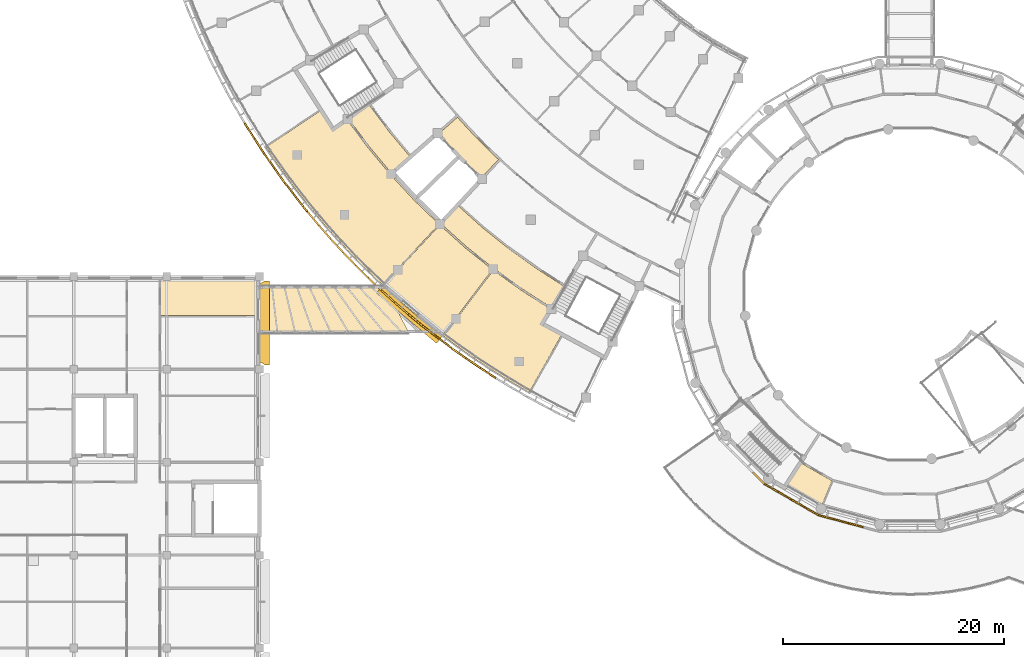
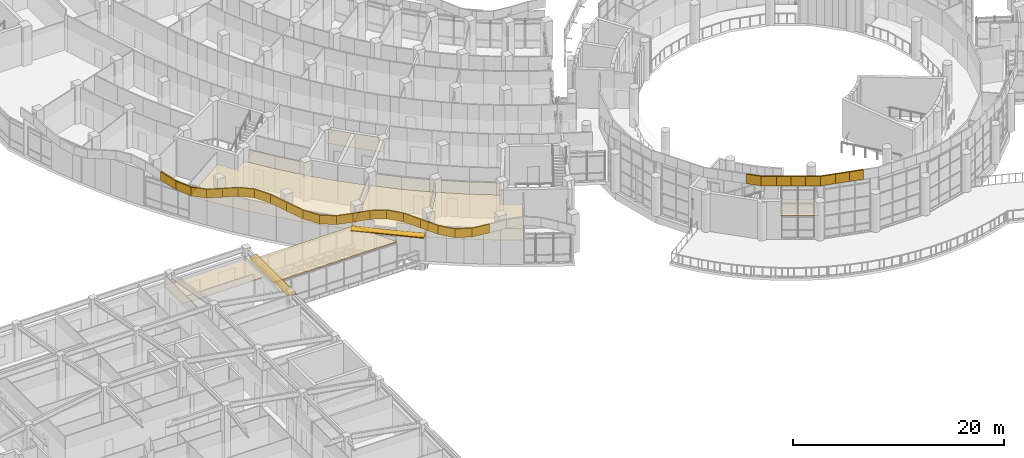
# One storey, part 112 of 136: 37 coverings, 2 shading devices.
"""IFC4 building model written with IfcOpenShell, lengths in metres."""

from ifc_helpers import new_model, si_unit, direction, frame, origin, place, context, subcontext, project, spatial, polyline, outline, extrude, material, layer, layer_set, type_object, element, save


model = new_model("IFC4")

# Units and contexts
model_context = context("Model", 3, precision=1e-05, world=origin(), true_north=direction((0.0, 1.0)))
body_context = subcontext(model_context, "Body", "Model", "MODEL_VIEW")
ifc_project = project(units=[si_unit("LENGTHUNIT", "METRE"), si_unit("AREAUNIT", "SQUARE_METRE"), si_unit("VOLUMEUNIT", "CUBIC_METRE"), si_unit("PLANEANGLEUNIT", "RADIAN"), si_unit("MASSUNIT", "GRAM", prefix="KILO")], contexts=[model_context])

# Site, building, storey
site_placement = place(None, origin())
site = spatial("IfcSite", under=ifc_project, at=site_placement, CompositionType="ELEMENT")
building_placement = place(site_placement, origin())
building = spatial("IfcBuilding", under=site, at=building_placement, Name="Bougainvillea Quay General Hospital", CompositionType="ELEMENT")
storey_placement = place(building_placement, frame((0.0, 0.0, 5.39990234375)))
storey = spatial("IfcBuildingStorey", under=building, at=storey_placement, Name="L01", CompositionType="ELEMENT", Elevation=5.39990234375)

# Coverings
ifc_material_1 = material(Name="Powder-coated aluminium fascia, white", Category="aluminium")
ifc_layer_1 = layer(ifc_material_1, 0.14990234375)
ifc_layer_set_1 = layer_set([ifc_layer_1], Name="Powder-coated aluminium fascia, white")
covering_type_1 = type_object("IfcCoveringType", Name="Aluminium fascia band white 150x1100", PredefinedType="CLADDING", material=ifc_layer_set_1)
covering_1_placement = place(storey_placement, frame((95.05810546875, 57.920166015625, 6.650146484375), z_axis=(0.0, 0.0, 1.0), x_axis=(0.707106781187, -0.707106781187, 0.0)))
element("IfcCovering", 1, at=covering_1_placement, inside=storey, type_object=covering_type_1, Name="Fascia band white e0 14", PredefinedType="CLADDING", context=body_context, shape_type="SweptSolid", body=[
    extrude(outline(polyline([(0.0, 0.0), (1.4428707219621983, 0.0), (1.4625509399932692, -0.15019113760554115), (0.0, -0.15019113760554112), (0.0, 0.0)])), origin(), (0.0, 0.0, 1.0), 1.10009765625),
])
covering_2_placement = place(storey_placement, frame((96.078369140625, 56.89990234375, 6.650146484375), z_axis=(0.0, 0.0, 1.0), x_axis=(0.866058810152, -0.49994213401, 0.0)))
element("IfcCovering", 2, at=covering_2_placement, inside=storey, type_object=covering_type_1, Name="Fascia band white e0 15", PredefinedType="CLADDING", context=body_context, shape_type="SweptSolid", body=[
    extrude(outline(polyline([(0.0, 0.0), (1.4430380994058942, 0.0), (1.4428484269856572, -0.15007945905171638), (-0.01987272956648338, -0.15016578643810477), (0.0, 0.0)])), origin(), (0.0, 0.0, 1.0), 1.10009765625),
])
covering_3_placement = place(storey_placement, frame((97.328125, 56.178466796875, 6.650146484375), z_axis=(0.0, 0.0, 1.0), x_axis=(0.866031343357, -0.499989712218, 0.0)))
element("IfcCovering", 3, at=covering_3_placement, inside=storey, type_object=covering_type_1, Name="Fascia band white e0 16", PredefinedType="CLADDING", context=body_context, shape_type="SweptSolid", body=[
    extrude(outline(polyline([(0.0, 0.0), (1.3706336703115394, 0.0), (1.3704522428569326, -0.15007946924533522), (-0.00018142745460673904, -0.15007946924533525), (0.0, 0.0)])), origin(), (0.0, 0.0, 1.0), 1.10009765625),
])
covering_4_placement = place(storey_placement, frame((98.51513671875, 55.4931640625, 6.650146484375), z_axis=(0.0, 0.0, 1.0), x_axis=(0.865986804272, -0.500066850358, 0.0)))
element("IfcCovering", 4, at=covering_4_placement, inside=storey, type_object=covering_type_1, Name="Fascia band white e0 17", PredefinedType="CLADDING", context=body_context, shape_type="SweptSolid", body=[
    extrude(outline(polyline([(0.0, 0.0), (1.3704222423145833, 1.1102230246251565e-16), (1.3704656054686581, -0.14995739817689147), (-0.0001680594055618323, -0.15007948481027983), (0.0, 0.0)])), origin(), (0.0, 0.0, 1.0), 1.10009765625),
])
covering_5_placement = place(storey_placement, frame((99.701904296875, 54.807861328125, 6.650146484375), z_axis=(0.0, 0.0, 1.0), x_axis=(0.866058810152, -0.49994213401, 0.0)))
element("IfcCovering", 5, at=covering_5_placement, inside=storey, type_object=covering_type_1, Name="Fascia band white e0 18", PredefinedType="CLADDING", context=body_context, shape_type="SweptSolid", body=[
    extrude(outline(polyline([(0.0, 0.0), (1.4430380994058942, 0.0), (1.4627429242711008, -0.1498710754802669), (2.176771896013341e-05, -0.14995740286665532), (0.0, 0.0)])), origin(), (0.0, 0.0, 1.0), 1.10009765625),
])
covering_6_placement = place(storey_placement, frame((100.95166015625, 54.08642578125, 6.650146484375), z_axis=(0.0, 0.0, 1.0), x_axis=(0.96591406393, -0.258862938836, 0.0)))
element("IfcCovering", 6, at=covering_6_placement, inside=storey, type_object=covering_type_1, Name="Fascia band white e0 19", PredefinedType="CLADDING", context=body_context, shape_type="SweptSolid", body=[
    extrude(outline(polyline([(0.0, 0.0), (1.4429842986801122, 5.551115123125783e-17), (1.442966082509382, -0.149889220504208), (-0.01973926565854102, -0.14986654323044177), (0.0, 0.0)])), origin(), (0.0, 0.0, 1.0), 1.10009765625),
])
for number, where, z_axis, x_axis, name in (
    (7, (102.345458984375, 53.712890625, 6.650146484375), (0.0, 0.0, 1.0), (0.965917832393, -0.258848876884, 0.0), "Fascia band white e0 20"),
    (8, (103.669189453125, 53.358154296875, 6.650146484375), (0.0, 0.0, 1.0), (0.965917832393, -0.258848876884, 0.0), "Fascia band white e0 21"),
):
    element("IfcCovering", number, at=place(storey_placement, frame(where, z_axis=z_axis, x_axis=x_axis)), inside=storey, type_object=covering_type_1, Name=name, PredefinedType="CLADDING", context=body_context, shape_type="SweptSolid", body=[
        extrude(outline(polyline([(0.0, 0.0), (1.3704379651734342, 5.551115123125783e-17), (1.3704175668926584, -0.14988922022313056), (-2.039828077596978e-05, -0.14988922022313056), (0.0, 0.0)])), origin(), (0.0, 0.0, 1.0), 1.10009765625),
    ])
ifc_material_2 = material(Name="Powder-coated aluminium fascia, yellow", Category="aluminium")
ifc_layer_2 = layer(ifc_material_2, 0.14990234375)
ifc_layer_set_2 = layer_set([ifc_layer_2], Name="Powder-coated aluminium fascia, yellow")
covering_type_2 = type_object("IfcCoveringType", Name="Aluminium wave fascia ribbon yellow 150x1000", PredefinedType="CLADDING", material=ifc_layer_set_2)
covering_7_placement = place(storey_placement, frame((49.122314453125, 89.492919921875, 3.96728515625), z_axis=(0.16933460455, -0.271456396833, 0.947437183311), x_axis=(0.501362361025, -0.803911064912, -0.31994184262)))
element("IfcCovering", 9, at=covering_7_placement, inside=storey, type_object=covering_type_2, Name="Fascia ribbon yellow a01 11", PredefinedType="CLADDING", context=body_context, shape_type="SweptSolid", body=[
    extrude(outline(polyline([(0.0, 0.0), (1.7203658001696125, -2.0721814021629203e-16), (1.722282315639316, -0.14986279276286146), (-0.0018865808981837248, -0.1499697255726774), (0.0, 0.0)])), origin(), (-0.31994184262, -3.1942239e-05, 0.947437183311), 1.0),
])
covering_8_placement = place(storey_placement, frame((49.98486328125, 88.10986328125, 3.41650390625), z_axis=(0.072098689659, -0.109859576084, 0.991328730791), x_axis=(0.543983208214, -0.828742976914, -0.131405279186)))
element("IfcCovering", 10, at=covering_8_placement, inside=storey, type_object=covering_type_2, Name="Fascia ribbon yellow a01 12", PredefinedType="CLADDING", context=body_context, shape_type="SweptSolid", body=[
    extrude(outline(polyline([(0.0, 0.0), (1.6444070908462403, -8.271784949706595e-17), (1.6461060191107986, -0.1500425533868473), (-0.0017228512126957452, -0.1498636092990518), (0.0, 0.0)])), origin(), (-0.131405279186, 1.0481951e-05, 0.991328730791), 1.0),
])
covering_9_placement = place(storey_placement, frame((50.87939453125, 86.7470703125, 3.200439453125), z_axis=(-0.083353186357, 0.121023564696, 0.989143843489), x_axis=(0.561735712084, -0.814161253905, 0.146950476045)))
element("IfcCovering", 11, at=covering_9_placement, inside=storey, type_object=covering_type_2, Name="Fascia ribbon yellow a01 13", PredefinedType="CLADDING", context=body_context, shape_type="SweptSolid", body=[
    extrude(outline(polyline([(0.0, 0.0), (1.648072984355286, 6.14742631799281e-17), (1.6496278444363315, -0.14995888294990545), (-0.0018005013549196433, -0.1500413701381544), (0.0, 0.0)])), origin(), (0.146950476045, -0.000120323572, 0.989143843489), 1.0),
])
covering_10_placement = place(storey_placement, frame((51.80517578125, 85.4052734375, 3.443115234375), z_axis=(-0.191557698113, 0.263408938148, 0.945474155965), x_axis=(0.554837433423, -0.765556693661, 0.325696747395)))
element("IfcCovering", 12, at=covering_10_placement, inside=storey, type_object=covering_type_2, Name="Fascia ribbon yellow a01 14", PredefinedType="CLADDING", context=body_context, shape_type="SweptSolid", body=[
    extrude(outline(polyline([(0.0, 0.0), (1.7240124680396092, 1.0446287931897835e-16), (1.7257972064910645, -0.1498943022962561), (-0.0020748076817750007, -0.14995417904024314), (0.0, 0.0)])), origin(), (0.325696747395, 0.00049913883, 0.945474155965), 1.0),
])
covering_11_placement = place(storey_placement, frame((52.76171875, 84.08544921875, 4.005126953125), z_axis=(-0.196324841676, 0.258072170913, 0.945967922892), x_axis=(0.572849096348, -0.75279427861, 0.324260214805)))
element("IfcCovering", 13, at=covering_11_placement, inside=storey, type_object=covering_type_2, Name="Fascia ribbon yellow a01 15", PredefinedType="CLADDING", context=body_context, shape_type="SweptSolid", body=[
    extrude(outline(polyline([(0.0, 0.0), (1.7231095045113147, -1.2426312149399488e-16), (1.7249095401596242, -0.1501134214110714), (-0.0018409225971307993, -0.14989358522709506), (0.0, 0.0)])), origin(), (0.324260214805, -4.4192337e-05, 0.945967922892), 1.0),
])
covering_12_placement = place(storey_placement, frame((53.748779296875, 82.788330078125, 4.564453125), z_axis=(-0.088548866156, 0.11223623036, 0.989728309637), x_axis=(0.617356287832, -0.773585137091, 0.142958908595)))
element("IfcCovering", 14, at=covering_12_placement, inside=storey, type_object=covering_type_2, Name="Fascia ribbon yellow a01 16", PredefinedType="CLADDING", context=body_context, shape_type="SweptSolid", body=[
    extrude(outline(polyline([(0.0, 0.0), (1.6470806047808013, 2.2041830166630305e-16), (1.6488747803515422, -0.15007139200549252), (-0.0017445255582313325, -0.15011347629636604), (0.0, 0.0)])), origin(), (0.142958908595, -0.00078965577, 0.989728309637), 1.0),
])
covering_13_placement = place(storey_placement, frame((54.765625, 81.51416015625, 4.800048828125), z_axis=(0.086210577573, -0.104425588512, 0.990789096013), x_axis=(0.635819124434, -0.759867002132, -0.135411151957)))
element("IfcCovering", 15, at=covering_13_placement, inside=storey, type_object=covering_type_2, Name="Fascia ribbon yellow a01 17", PredefinedType="CLADDING", context=body_context, shape_type="SweptSolid", body=[
    extrude(outline(polyline([(0.0, 0.0), (1.6453599237930618, 1.0636023312082798e-16), (1.6469211576534304, -0.14995282035077212), (-0.0017240330569134044, -0.15007142934972761), (0.0, 0.0)])), origin(), (-0.135411151957, 0.000887213124, 0.990789096013), 1.0),
])
covering_14_placement = place(storey_placement, frame((55.811767578125, 80.263916015625, 4.57666015625), z_axis=(0.211906488099, -0.241730364202, 0.946922420964), x_axis=(0.624385831002, -0.711901967409, -0.321462163938)))
element("IfcCovering", 16, at=covering_14_placement, inside=storey, type_object=covering_type_2, Name="Fascia ribbon yellow a01 18", PredefinedType="CLADDING", context=body_context, shape_type="SweptSolid", body=[
    extrude(outline(polyline([(0.0, 0.0), (1.7211952309516827, -2.3349649037190945e-16), (1.723200057692113, -0.15004451754000245), (-0.0020760948666379716, -0.1499481782973162), (0.0, 0.0)])), origin(), (-0.321462163938, 7.6368546e-05, 0.946922420964), 1.0),
])
covering_15_placement = place(storey_placement, frame((56.886474609375, 79.03857421875, 4.022705078125), z_axis=(0.222173491566, -0.241667079167, 0.94458242758), x_axis=(0.639103480666, -0.69554490158, -0.328274322613)))
element("IfcCovering", 17, at=covering_15_placement, inside=storey, type_object=covering_type_2, Name="Fascia ribbon yellow a01 19", PredefinedType="CLADDING", context=body_context, shape_type="SweptSolid", body=[
    extrude(outline(polyline([(0.0, 0.0), (1.72584478397919, 2.2876665839444144e-17), (1.7276736089779414, -0.1500814644799538), (-0.001754433369771608, -0.1500475982214944), (0.0, 0.0)])), origin(), (-0.328274322613, -8.1367867e-05, 0.94458242758), 1.0),
])
covering_16_placement = place(storey_placement, frame((57.989501953125, 77.838134765625, 3.455810546875), z_axis=(0.107036848562, -0.111177781742, 0.988019541252), x_axis=(0.685189332185, -0.711827361901, -0.154328823975)))
element("IfcCovering", 18, at=covering_16_placement, inside=storey, type_object=covering_type_2, Name="Fascia ribbon yellow a01 20", PredefinedType="CLADDING", context=body_context, shape_type="SweptSolid", body=[
    extrude(outline(polyline([(0.0, 0.0), (1.6497268511143455, 6.957528628746823e-17), (1.6515703134356485, -0.15018358915031532), (-0.0018163648150999363, -0.15008009992348004), (0.0, 0.0)])), origin(), (-0.154328823975, -1.3927512e-05, 0.988019541252), 1.0),
])
covering_17_placement = place(storey_placement, frame((59.119873046875, 76.663818359375, 3.201171875), z_axis=(-0.087853771713, 0.087048697059, 0.992322648707), x_axis=(0.704496322822, -0.698848463764, 0.123676011517)))
element("IfcCovering", 19, at=covering_17_placement, inside=storey, type_object=covering_type_2, Name="Fascia ribbon yellow a01 21", PredefinedType="CLADDING", context=body_context, shape_type="SweptSolid", body=[
    extrude(outline(polyline([(0.0, 0.0), (1.6426260957952898, -1.1796119636642288e-16), (1.644456154068394, -0.14985438221003608), (-0.00165784400911081, -0.15018575510052057), (0.0, 0.0)])), origin(), (0.123676011517, 7.0986414e-05, 0.992322648707), 1.0),
])
covering_18_placement = place(storey_placement, frame((60.277099609375, 75.515869140625, 3.404541015625), z_axis=(-0.230027834194, 0.217907533513, 0.948474302411), x_axis=(0.688745251718, -0.652099292486, 0.316854053116)))
element("IfcCovering", 20, at=covering_18_placement, inside=storey, type_object=covering_type_2, Name="Fascia ribbon yellow a01 22", PredefinedType="CLADDING", context=body_context, shape_type="SweptSolid", body=[
    extrude(outline(polyline([(0.0, 0.0), (1.7188513110064798, 1.6243381422906267e-16), (1.7205200057816463, -0.15011814377780275), (-0.0017461285653559376, -0.14985597272280932), (0.0, 0.0)])), origin(), (0.316854053116, -8.1791091e-05, 0.948474302411), 1.0),
])
covering_19_placement = place(storey_placement, frame((61.4609375, 74.39501953125, 3.94970703125), z_axis=(-0.246051699585, 0.222823987001, 0.943296364855), x_axis=(0.6997891911, -0.632537118127, 0.331951626313)))
element("IfcCovering", 21, at=covering_19_placement, inside=storey, type_object=covering_type_2, Name="Fascia ribbon yellow a01 23", PredefinedType="CLADDING", context=body_context, shape_type="SweptSolid", body=[
    extrude(outline(polyline([(0.0, 0.0), (1.7280299958999354, 2.3632896854752783e-16), (1.7296942480515978, -0.14994415022661017), (-0.001929088099922149, -0.1501149899587999), (0.0, 0.0)])), origin(), (0.331951626313, -0.000292984655, 0.943296364855), 1.0),
])
covering_20_placement = place(storey_placement, frame((62.670166015625, 73.302001953125, 4.523681640625), z_axis=(-0.125307430143, 0.108195555274, 0.986200674189), x_axis=(0.746857445254, -0.644046377848, 0.165554280072)))
element("IfcCovering", 22, at=covering_20_placement, inside=storey, type_object=covering_type_2, Name="Fascia ribbon yellow a01 24", PredefinedType="CLADDING", context=body_context, shape_type="SweptSolid", body=[
    extrude(outline(polyline([(0.0, 0.0), (1.6527685055127253, -1.0761723001455337e-16), (1.6545047856758757, -0.15003556043195496), (-0.0019226564180051904, -0.14994049515098964), (0.0, 0.0)])), origin(), (0.165554280072, -0.000102859499, 0.986200674189), 1.0),
])
covering_21_placement = place(storey_placement, frame((63.904541015625, 72.237548828125, 4.79736328125), z_axis=(0.086320875709, -0.071039624794, 0.993731391336), x_axis=(0.767318937448, -0.631445743013, -0.111794104784)))
element("IfcCovering", 23, at=covering_21_placement, inside=storey, type_object=covering_type_2, Name="Fascia ribbon yellow a01 25", PredefinedType="CLADDING", context=body_context, shape_type="SweptSolid", body=[
    extrude(outline(polyline([(0.0, 0.0), (1.6404975834420783, 1.8409922295393316e-16), (1.6422447792649406, -0.15002550555787875), (-0.0017555161421309573, -0.15003534052500456), (0.0, 0.0)])), origin(), (-0.111794104784, 3.099913e-06, 0.993731391336), 1.0),
])
covering_22_placement = place(storey_placement, frame((65.163330078125, 71.20166015625, 4.61376953125), z_axis=(0.245369551563, -0.192536356196, 0.950117642563), x_axis=(0.747410863826, -0.586600832131, -0.311891751058)))
element("IfcCovering", 24, at=covering_22_placement, inside=storey, type_object=covering_type_2, Name="Fascia ribbon yellow a01 26", PredefinedType="CLADDING", context=body_context, shape_type="SweptSolid", body=[
    extrude(outline(polyline([(0.0, 0.0), (1.7155852551702881, -2.1575623232461538e-17), (1.717419761162188, -0.14975304554245308), (-0.0018054608116139202, -0.15002539627271386), (0.0, 0.0)])), origin(), (-0.311891751058, -3.0218825e-05, 0.950117642563), 1.0),
])
covering_23_placement = place(storey_placement, frame((66.445556640625, 70.1953125, 4.077880859375), z_axis=(0.268855018418, -0.200067411508, 0.94217302547), x_axis=(0.754499961561, -0.564287512315, -0.335125963556)))
element("IfcCovering", 25, at=covering_23_placement, inside=storey, type_object=covering_type_2, Name="Fascia ribbon yellow a01 27", PredefinedType="CLADDING", context=body_context, shape_type="SweptSolid", body=[
    extrude(outline(polyline([(0.0, 0.0), (1.7301809618314175, 1.584019374001322e-16), (1.7319944071318316, -0.14990489371800925), (-0.0018617785779524942, -0.14975372719534236), (0.0, 0.0)])), origin(), (-0.335125963556, -0.000760675225, 0.94217302547), 1.0),
])
covering_24_placement = place(storey_placement, frame((67.7509765625, 69.218994140625, 3.49755859375), z_axis=(0.144176988844, -0.101568122322, 0.984325613004), x_axis=(0.801765256741, -0.571025556732, -0.176358403946)))
element("IfcCovering", 26, at=covering_24_placement, inside=storey, type_object=covering_type_2, Name="Fascia ribbon yellow a01 28", PredefinedType="CLADDING", context=body_context, shape_type="SweptSolid", body=[
    extrude(outline(polyline([(0.0, 0.0), (1.6558852779537458, -5.789639601072594e-17), (1.6578204402326886, -0.1499951894230112), (-0.0017976229513584944, -0.14990507966353026), (0.0, 0.0)])), origin(), (-0.176358403946, -0.000894953653, 0.984325613004), 1.0),
])
covering_25_placement = place(storey_placement, frame((69.07861328125, 68.2734375, 3.20556640625), z_axis=(-0.0824748146, 0.055820380412, 0.995028637823), x_axis=(0.823601871554, -0.558356474955, 0.099589176363)))
element("IfcCovering", 27, at=covering_25_placement, inside=storey, type_object=covering_type_2, Name="Fascia ribbon yellow a01 29", PredefinedType="CLADDING", context=body_context, shape_type="SweptSolid", body=[
    extrude(outline(polyline([(0.0, 0.0), (1.6383629945179539, -5.61548962711711e-17), (1.640153870096891, -0.15010918186383548), (-0.0015601133711263375, -0.14999954378977423), (0.0, 0.0)])), origin(), (0.099589176363, 7.6576974e-05, 0.995028637823), 1.0),
])
covering_26_placement = place(storey_placement, frame((70.427978515625, 67.358642578125, 3.369140625), z_axis=(-0.257208175043, 0.166749762933, 0.951860531408), x_axis=(0.800017207475, -0.515763020051, 0.306530544795)))
element("IfcCovering", 28, at=covering_26_placement, inside=storey, type_object=covering_type_2, Name="Fascia ribbon yellow a01 30", PredefinedType="CLADDING", context=body_context, shape_type="SweptSolid", body=[
    extrude(outline(polyline([(0.0, 0.0), (1.712589806201552, 4.2500725161431774e-17), (1.7144234817914739, -0.14995909867541493), (-0.0017657385590108764, -0.1501100826743606), (0.0, 0.0)])), origin(), (0.306530544795, -0.000744214547, 0.951860531408), 1.0),
])
ifc_material_3 = material(Name="Insulated aluminium roof panel, grey", Category="aluminium")
ifc_layer_3 = layer(ifc_material_3, 0.14990234375)
ifc_layer_set_3 = layer_set([ifc_layer_3], Name="Insulated aluminium roof panel, grey")
covering_type_3 = type_object("IfcCoveringType", Name="Bridge roof insulated metal panel 150", PredefinedType="ROOFING", material=ifc_layer_set_3)
covering_27_placement = place(storey_placement, frame((0.0, 0.0, 3.0)))
element("IfcCovering", 29, at=covering_27_placement, inside=storey, type_object=covering_type_3, Name="Bridge roof B2", PredefinedType="ROOFING", context=body_context, shape_type="SweptSolid", body=[
    extrude(outline(polyline([(50.39990234375, 74.760009765625), (61.6875, 74.760009765625), (63.93994140625, 70.43994140625), (50.39990234375, 70.43994140625), (50.39990234375, 74.760009765625)])), origin(), (0.0, 0.0, 1.0), 0.150146484375),
])

# Shading devices
ifc_material_4 = material(Name="Powder-coated aluminium canopy soffit and fascia, white", Category="aluminium")
ifc_layer_4 = layer(ifc_material_4, 0.10009765625)
ifc_layer_set_4 = layer_set([ifc_layer_4], Name="Powder-coated aluminium canopy soffit and fascia, white")
shading_device_type = type_object("IfcShadingDeviceType", Name="Sunshade 100", PredefinedType="USERDEFINED", material=ifc_layer_set_4)
shading_device_1_placement = place(storey_placement, frame((0.0, 0.0, 3.150146484375)))
element("IfcShadingDevice", 30, at=shading_device_1_placement, inside=storey, type_object=shading_device_type, Name="Sunshade 0", ObjectType="Sunshade", PredefinedType="USERDEFINED", context=body_context, shape_type="SweptSolid", body=[
    extrude(outline(polyline([(50.39990234375, 75.0), (50.39990234375, 67.800048828125), (50.51708984375, 67.78857421875), (50.629638671875, 67.75439453125), (50.7333984375, 67.698974609375), (50.84619140625, 67.60009765625), (51.300048828125, 67.60009765625), (51.300048828125, 75.199951171875), (50.84619140625, 75.199951171875), (50.7333984375, 75.10107421875), (50.629638671875, 75.045654296875), (50.51708984375, 75.011474609375), (50.39990234375, 75.0)])), origin(), (0.0, 0.0, 1.0), 0.099853515625),
])
shading_device_2_placement = place(storey_placement, frame((0.0, 0.0, 3.150146484375)))
element("IfcShadingDevice", 31, at=shading_device_2_placement, inside=storey, type_object=shading_device_type, Name="Sunshade 0", ObjectType="Sunshade", PredefinedType="USERDEFINED", context=body_context, shape_type="SweptSolid", body=[
    extrude(outline(polyline([(66.39599609375, 69.544189453125), (66.944580078125, 70.197509765625), (65.928955078125, 70.97607421875), (64.589111328125, 72.056884765625), (63.27587890625, 73.169921875), (61.990966796875, 74.31591796875), (61.530029296875, 74.747314453125), (60.97998046875, 74.09228515625), (66.39599609375, 69.544189453125)])), origin(), (0.0, 0.0, 1.0), 0.099853515625),
])

# Coverings
ifc_material_5 = material(Name="Mineral fibre ceiling tile")
ifc_layer_5 = layer(ifc_material_5, 0.030029296875)
ifc_layer_set_5 = layer_set([ifc_layer_5], Name="Mineral fibre ceiling tile")
covering_type_4 = type_object("IfcCoveringType", Name="Suspended ceiling mineral fibre tile", PredefinedType="CEILING", material=ifc_layer_set_5)
covering_28_placement = place(storey_placement, frame((0.0, 0.0, 2.800048828125)))
element("IfcCovering", 32, at=covering_28_placement, inside=storey, type_object=covering_type_4, Name="Ceiling Emergency Short Stay Bay Room 07", PredefinedType="CEILING", context=body_context, shape_type="SweptSolid", body=[
    extrude(outline(polyline([(41.449951171875, 75.60009765625), (41.449951171875, 72.050048828125), (50.39990234375, 72.050048828125), (50.39990234375, 75.60009765625), (41.449951171875, 75.60009765625)])), origin(), (0.0, 0.0, 1.0), 0.030029296875),
])
covering_29_placement = place(storey_placement, frame((0.0, 0.0, 2.7001953125)))
element("IfcCovering", 33, at=covering_29_placement, inside=storey, type_object=covering_type_4, Name="Ceiling Lift Lobby LB-W1", PredefinedType="CEILING", context=body_context, shape_type="SweptSolid", body=[
    extrude(outline(polyline([(70.4365234375, 84.485107421875), (72.00341796875, 86.168701171875), (71.1474609375, 86.9853515625), (71.145751953125, 86.983642578125), (71.075927734375, 87.053466796875), (71.004638671875, 87.12158203125), (71.00634765625, 87.12353515625), (70.169921875, 87.96337890625), (70.16796875, 87.961669921875), (70.100341796875, 88.033447265625), (70.030517578125, 88.103271484375), (70.032470703125, 88.10498046875), (69.218505859375, 88.96533203125), (69.216552734375, 88.9638671875), (69.150390625, 89.037109375), (69.08251953125, 89.10888671875), (69.08447265625, 89.110595703125), (68.292724609375, 89.98974609375), (66.56396484375, 88.4736328125), (67.4599609375, 87.47705078125), (68.449951171875, 86.430908203125), (69.467041015625, 85.409912109375), (70.4365234375, 84.485107421875)])), origin(), (0.0, 0.0, 1.0), 0.02978515625),
])
covering_30_placement = place(storey_placement, frame((0.0, 0.0, 2.7001953125)))
element("IfcCovering", 34, at=covering_30_placement, inside=storey, type_object=covering_type_4, Name="Ceiling Gallery Lounge 01H0121", PredefinedType="CEILING", context=body_context, shape_type="SweptSolid", body=[
    extrude(outline(polyline([(101.120361328125, 54.624267578125), (102.147216796875, 57.103271484375), (102.133056640625, 57.10693359375), (102.1376953125, 57.123779296875), (99.3681640625, 58.722412109375), (99.365966796875, 58.71923828125), (99.344970703125, 58.73291015625), (97.888427734375, 56.489990234375), (101.120361328125, 54.624267578125)])), origin(), (0.0, 0.0, 1.0), 0.02978515625),
])
covering_31_placement = place(storey_placement, frame((0.0, 0.0, 2.400146484375)))
element("IfcCovering", 35, at=covering_31_placement, inside=storey, type_object=covering_type_4, Name="Ceiling Clinic Corridor 01W1", PredefinedType="CEILING", context=body_context, shape_type="SweptSolid", body=[
    extrude(outline(polyline([(66.8310546875, 80.4619140625), (66.904296875, 80.39404296875), (66.83935546875, 80.323974609375), (69.113525390625, 78.27734375), (71.584228515625, 76.306884765625), (74.152099609375, 74.463134765625), (76.766845703125, 72.780029296875), (77.93701171875, 74.701904296875), (75.478271484375, 76.284423828125), (75.476318359375, 76.28125), (75.416748046875, 76.323974609375), (75.355224609375, 76.363525390625), (75.357421875, 76.36669921875), (73.001220703125, 78.0576171875), (72.998779296875, 78.0546875), (72.941650390625, 78.10009765625), (72.88232421875, 78.142822265625), (72.884521484375, 78.145751953125), (70.617431640625, 79.955322265625), (70.614501953125, 79.9521484375), (70.560546875, 80.000732421875), (70.503662109375, 80.046142578125), (70.50634765625, 80.049560546875), (68.296875, 82.0361328125), (68.346923828125, 82.092041015625), (66.8310546875, 80.4619140625)])), origin(), (0.0, 0.0, 1.0), 0.030029296875),
])
covering_32_placement = place(storey_placement, frame((0.0, 0.0, 2.7001953125)))
element("IfcCovering", 36, at=covering_32_placement, inside=storey, type_object=covering_type_4, Name="Ceiling Gastroenterology Consulting Room 01W111", PredefinedType="CEILING", context=body_context, shape_type="SweptSolid", body=[
    extrude(outline(polyline([(74.06787109375, 74.3388671875), (74.00634765625, 74.37841796875), (74.00830078125, 74.381591796875), (71.55322265625, 76.14453125), (71.55078125, 76.1416015625), (71.53271484375, 76.156005859375), (67.0244140625, 70.2001953125), (68.56103515625, 69.068603515625), (69.99609375, 68.0712890625), (71.455078125, 67.109130859375), (72.937744140625, 66.184814453125), (74.769287109375, 65.11669921875), (77.66943359375, 70.2529296875), (77.354248046875, 70.4287109375), (77.353515625, 70.427490234375), (77.26806640625, 70.4765625), (77.2685546875, 70.477783203125), (75.87060546875, 71.304443359375), (75.92138671875, 71.390380859375), (76.68896484375, 72.652099609375), (74.12939453125, 74.29931640625), (74.127197265625, 74.29638671875), (74.06787109375, 74.3388671875)])), origin(), (0.0, 0.0, 1.0), 0.02978515625),
])
covering_33_placement = place(storey_placement, frame((0.0, 0.0, 2.7001953125)))
element("IfcCovering", 37, at=covering_33_placement, inside=storey, type_object=covering_type_4, Name="Ceiling Gastroenterology Examination Room 01W112", PredefinedType="CEILING", context=body_context, shape_type="SweptSolid", body=[
    extrude(outline(polyline([(65.768310546875, 71.170166015625), (66.944580078125, 70.260498046875), (71.453125, 76.21630859375), (71.434326171875, 76.229736328125), (71.4365234375, 76.23291015625), (69.073486328125, 78.1171875), (69.070556640625, 78.114013671875), (69.0166015625, 78.162841796875), (68.959716796875, 78.2080078125), (68.96240234375, 78.21142578125), (66.7373046875, 80.214111328125), (66.734130859375, 80.212646484375), (66.698974609375, 80.246337890625), (61.592041015625, 74.7587890625), (62.46435546875, 73.960205078125), (63.781494140625, 72.80712890625), (65.768310546875, 71.170166015625)])), origin(), (0.0, 0.0, 1.0), 0.02978515625),
])
covering_34_placement = place(storey_placement, frame((0.0, 0.0, 2.400146484375)))
element("IfcCovering", 38, at=covering_34_placement, inside=storey, type_object=covering_type_4, Name="Ceiling Clinic Corridor 01W1", PredefinedType="CEILING", context=body_context, shape_type="SweptSolid", body=[
    extrude(outline(polyline([(64.091064453125, 86.43798828125), (64.033447265625, 86.389892578125), (62.131103515625, 88.67236328125), (62.1279296875, 88.669921875), (62.084228515625, 88.728515625), (62.037353515625, 88.78466796875), (62.040283203125, 88.787109375), (60.285888671875, 91.12548828125), (58.4521484375, 89.821533203125), (60.31982421875, 87.33251953125), (62.343505859375, 84.904541015625), (64.486572265625, 82.58251953125), (66.69287109375, 80.460205078125), (66.7578125, 80.530029296875), (66.8310546875, 80.4619140625), (65.68896484375, 81.551025390625), (64.575927734375, 82.6689453125), (63.491943359375, 83.81396484375), (62.43701171875, 84.987060546875), (64.091064453125, 86.43798828125)])), origin(), (0.0, 0.0, 1.0), 0.030029296875),
])
covering_35_placement = place(storey_placement, frame((0.0, 0.0, 2.7001953125)))
element("IfcCovering", 39, at=covering_35_placement, inside=storey, type_object=covering_type_4, Name="Ceiling Urology Consulting Room 01W111", PredefinedType="CEILING", context=body_context, shape_type="SweptSolid", body=[
    extrude(outline(polyline([(64.326904296875, 82.52783203125), (64.330078125, 82.531005859375), (62.2802734375, 84.751708984375), (62.27734375, 84.749267578125), (62.230712890625, 84.805419921875), (62.180908203125, 84.859130859375), (62.183837890625, 84.86181640625), (60.2490234375, 87.183349609375), (60.24609375, 87.180908203125), (60.2021484375, 87.239501953125), (60.1552734375, 87.295654296875), (60.158203125, 87.298095703125), (58.329833984375, 89.734375), (57.127685546875, 88.87744140625), (57.04541015625, 88.8203125), (56.11962890625, 90.155517578125), (56.11865234375, 90.15478515625), (56.0634765625, 90.236572265625), (56.064453125, 90.2373046875), (55.866943359375, 90.53857421875), (50.953857421875, 87.2763671875), (52.02978515625, 85.699951171875), (53.556884765625, 83.619140625), (54.6328125, 82.240478515625), (56.3388671875, 80.19482421875), (58.065673828125, 78.27392578125), (59.273681640625, 77.010986328125), (59.919921875, 76.36279296875), (61.51904296875, 74.8271484375), (66.625732421875, 80.314453125), (66.589599609375, 80.34716796875), (66.5908203125, 80.350341796875), (64.431884765625, 82.427001953125), (64.4287109375, 82.424072265625), (64.37939453125, 82.4775390625), (64.326904296875, 82.52783203125)])), origin(), (0.0, 0.0, 1.0), 0.02978515625),
])

save(model, "model.ifc")
